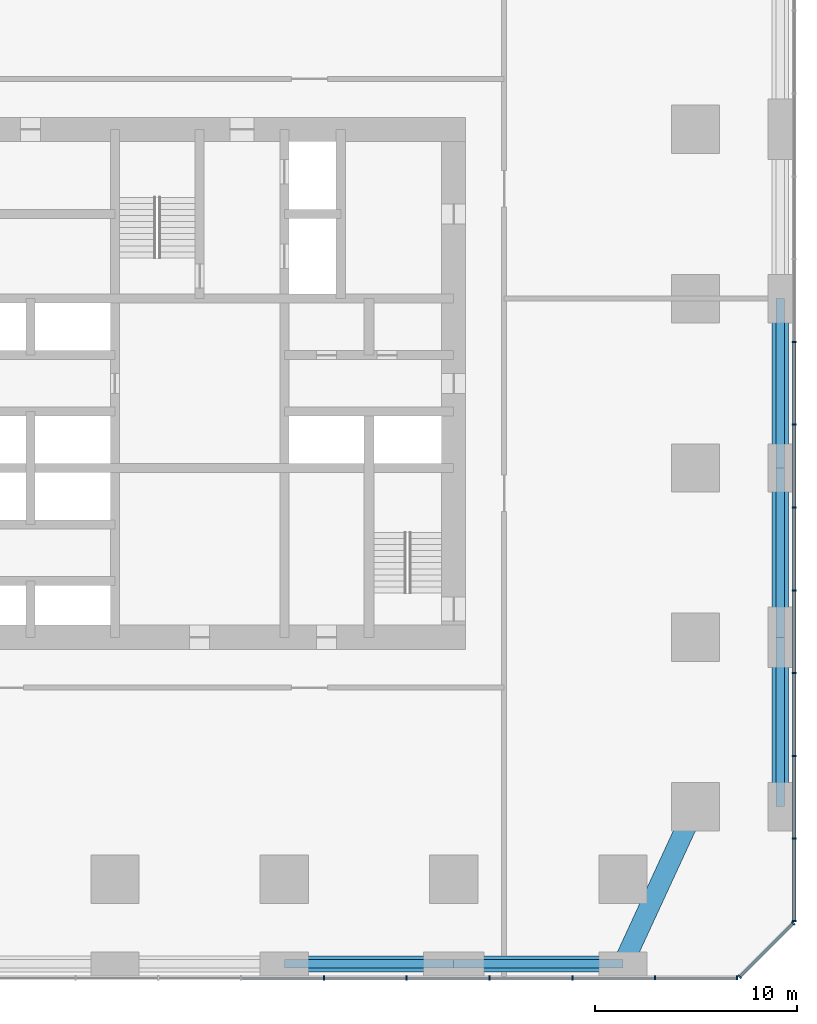
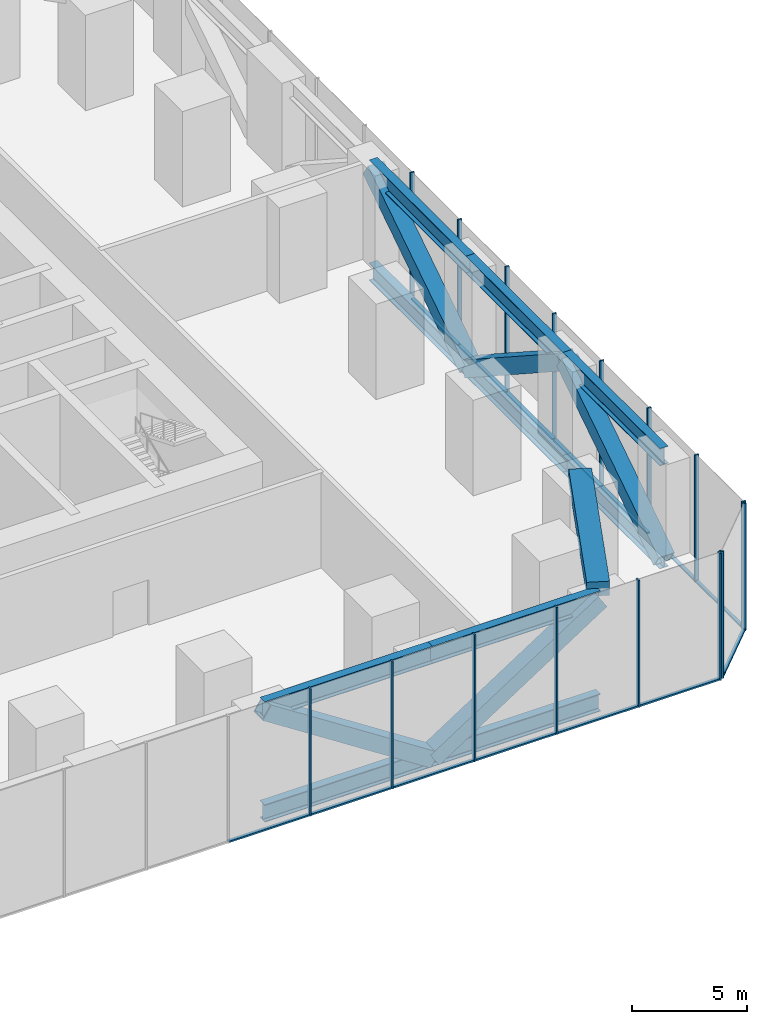
# One storey, part 4 of 11: 45 members, 1 beam, 3 elements without a shape of their own.
"""IFC4 building model written with IfcOpenShell, lengths in metres."""

from ifc_helpers import new_model, si_unit, direction, frame, origin, origin_2d, place, context, subcontext, project, spatial, rectangle, hollow_rectangle, i_section, extrude, material, material_profile, profile_set, type_object, element, aggregate, save


model = new_model("IFC4")

# Units and contexts
model_context = context("Model", 3, precision=1e-05, world=origin(), true_north=direction((0.0, 1.0)))
body_context = subcontext(model_context, "Body", "Model", "MODEL_VIEW")
ifc_project = project(units=[si_unit("LENGTHUNIT", "METRE"), si_unit("AREAUNIT", "SQUARE_METRE"), si_unit("VOLUMEUNIT", "CUBIC_METRE"), si_unit("PLANEANGLEUNIT", "RADIAN"), si_unit("MASSUNIT", "GRAM", prefix="KILO")], contexts=[model_context])

# Site, building, storey
site_placement = place(None, origin())
site = spatial("IfcSite", under=ifc_project, at=site_placement, CompositionType="ELEMENT")
building_placement = place(site_placement, origin())
building = spatial("IfcBuilding", under=site, at=building_placement, Name="Dunama Terrace Hotel", CompositionType="ELEMENT")
storey_placement = place(building_placement, frame((0.0, 0.0, 88.199951171875)))
storey = spatial("IfcBuildingStorey", under=building, at=storey_placement, Name="L22", CompositionType="ELEMENT", Elevation=88.199951171875)

# Members
ifc_material_1 = material(Name="Steel S355", Category="steel")
ifc_material_profile_1 = material_profile(ifc_material_1, hollow_rectangle(XDim=0.800048828125, YDim=0.800048828125, WallThickness=0.06005859375, at=origin_2d()), Name="BOX 800x800x60")
ifc_profile_set_1 = profile_set([ifc_material_profile_1], Name="Steel S355")
member_type_1 = type_object("IfcMemberType", Name="Brace BOX 800x800x60", PredefinedType="BRACE", material=ifc_profile_set_1)
member_1_placement = place(storey_placement, frame((58.199951171875, 8.39990234375, -0.8603515625), z_axis=(0.0, 0.838906226141, 0.544275981229), x_axis=(-1.0, 0.0, 0.0)))
element("IfcMember", 1, at=member_1_placement, inside=storey, type_object=member_type_1, Name="Belt truss diagonal L22", PredefinedType="BRACE", context=body_context, shape_type="SweptSolid", body=[
    extrude(hollow_rectangle(XDim=0.800048828125, YDim=0.800048828125, WallThickness=0.06005859375, at=origin_2d()), origin(), (0.0, 0.0, 1.0), 10.01318359375),
])
member_2_placement = place(storey_placement, frame((58.199951171875, 25.199951171875, -0.8603515625), z_axis=(0.0, -0.83889900313, 0.544287114075), x_axis=(1.0, 0.0, 0.0)))
element("IfcMember", 2, at=member_2_placement, inside=storey, type_object=member_type_1, Name="Belt truss diagonal L22", PredefinedType="BRACE", context=body_context, shape_type="SweptSolid", body=[
    extrude(hollow_rectangle(XDim=0.800048828125, YDim=0.800048828125, WallThickness=0.06005859375, at=origin_2d()), origin(), (0.0, 0.0, 1.0), 10.012939453125),
])
member_3_placement = place(storey_placement, frame((58.199951171875, 25.199951171875, -0.8603515625), z_axis=(0.0, 0.838906226141, 0.544275981229), x_axis=(-1.0, 0.0, 0.0)))
element("IfcMember", 3, at=member_3_placement, inside=storey, type_object=member_type_1, Name="Belt truss diagonal L22", PredefinedType="BRACE", context=body_context, shape_type="SweptSolid", body=[
    extrude(hollow_rectangle(XDim=0.800048828125, YDim=0.800048828125, WallThickness=0.06005859375, at=origin_2d()), origin(), (0.0, 0.0, 1.0), 10.01318359375),
])
for number, where, z_axis, x_axis, name in (
    (4, (42.0, 0.60009765625, -0.8603515625), (-0.83889900313, 0.0, 0.544287114075), (0.0, -1.0, 0.0), "Belt truss diagonal L22"),
    (5, (42.0, 0.60009765625, -0.8603515625), (0.83889900313, 0.0, 0.544287114075), (0.0, 1.0, 0.0), "Belt truss diagonal L22"),
):
    element("IfcMember", number, at=place(storey_placement, frame(where, z_axis=z_axis, x_axis=x_axis)), inside=storey, type_object=member_type_1, Name=name, PredefinedType="BRACE", context=body_context, shape_type="SweptSolid", body=[
        extrude(hollow_rectangle(XDim=0.800048828125, YDim=0.800048828125, WallThickness=0.06005859375, at=origin_2d()), origin(), (0.0, 0.0, 1.0), 10.012939453125),
    ])

# Curtain wall, members
ifc_material_2 = material(Name="Aluminium curtain wall system", Category="aluminium")
curtain_wall_type = type_object("IfcCurtainWallType", Name="Plant floor louvred glazing CW-G", PredefinedType="NOTDEFINED", material=ifc_material_2)
curtain_wall_1_placement = place(storey_placement, origin())
curtain_wall_1 = element("IfcCurtainWall", 6, at=curtain_wall_1_placement, inside=storey, type_object=curtain_wall_type, Name="Plant floor louvred glazing CW-G L22", PredefinedType="NOTDEFINED")
ifc_material_3 = material(Name="Aluminium mullion", Category="aluminium")
ifc_material_profile_2 = material_profile(ifc_material_3, rectangle(XDim=0.074951171875, YDim=0.199951171875, at=origin_2d()), Name="CWG MULLION 75X200")
ifc_profile_set_2 = profile_set([ifc_material_profile_2], Name="Aluminium mullion")
member_type_2 = type_object("IfcMemberType", Name="CWG mullion 75x200", PredefinedType="MULLION", material=ifc_profile_set_2)
member_4_placement = place(storey_placement, frame((35.56201171875, -0.10009765625, -1.321044921875), z_axis=(0.0, 0.0, 1.0), x_axis=(1.0, 0.0, 0.0)))
member_4 = element("IfcMember", 7, at=member_4_placement, type_object=member_type_2, Name="CWG mullion", PredefinedType="MULLION", context=body_context, shape_type="SweptSolid", body=[
    extrude(rectangle(XDim=0.074951171875, YDim=0.199951171875, at=origin_2d()), origin(), (0.0, 0.0, 1.0), 6.72119140625),
])
member_5_placement = place(storey_placement, frame((39.6689453125, -0.10009765625, -1.321044921875), z_axis=(0.0, 0.0, 1.0), x_axis=(1.0, 0.0, 0.0)))
member_5 = element("IfcMember", 8, at=member_5_placement, type_object=member_type_2, Name="CWG mullion", PredefinedType="MULLION", context=body_context, shape_type="SweptSolid", body=[
    extrude(rectangle(XDim=0.074951171875, YDim=0.199951171875, at=origin_2d()), origin(), (0.0, 0.0, 1.0), 6.72119140625),
])
member_6_placement = place(storey_placement, frame((43.777099609375, -0.10009765625, -1.321044921875), z_axis=(0.0, 0.0, 1.0), x_axis=(1.0, 0.0, 0.0)))
member_6 = element("IfcMember", 9, at=member_6_placement, type_object=member_type_2, Name="CWG mullion", PredefinedType="MULLION", context=body_context, shape_type="SweptSolid", body=[
    extrude(rectangle(XDim=0.074951171875, YDim=0.199951171875, at=origin_2d()), origin(), (0.0, 0.0, 1.0), 6.72119140625),
])
member_7_placement = place(storey_placement, frame((47.885009765625, -0.10009765625, -1.321044921875), z_axis=(0.0, 0.0, 1.0), x_axis=(1.0, 0.0, 0.0)))
member_7 = element("IfcMember", 10, at=member_7_placement, type_object=member_type_2, Name="CWG mullion", PredefinedType="MULLION", context=body_context, shape_type="SweptSolid", body=[
    extrude(rectangle(XDim=0.074951171875, YDim=0.199951171875, at=origin_2d()), origin(), (0.0, 0.0, 1.0), 6.72119140625),
])
member_8_placement = place(storey_placement, frame((51.991943359375, -0.10009765625, -1.321044921875), z_axis=(0.0, 0.0, 1.0), x_axis=(1.0, 0.0, 0.0)))
member_8 = element("IfcMember", 11, at=member_8_placement, type_object=member_type_2, Name="CWG mullion", PredefinedType="MULLION", context=body_context, shape_type="SweptSolid", body=[
    extrude(rectangle(XDim=0.074951171875, YDim=0.199951171875, at=origin_2d()), origin(), (0.0, 0.0, 1.0), 6.72119140625),
])
member_9_placement = place(storey_placement, frame((56.06201171875, -0.10009765625, -1.321044921875), z_axis=(0.0, 0.0, 1.0), x_axis=(1.0, 0.0, 0.0)))
member_9 = element("IfcMember", 12, at=member_9_placement, type_object=member_type_2, Name="CWG mullion", PredefinedType="MULLION", context=body_context, shape_type="SweptSolid", body=[
    extrude(rectangle(XDim=0.074951171875, YDim=0.199951171875, at=origin_2d()), origin(), (0.0, 0.0, 1.0), 6.72119140625),
])

curtain_wall_2_placement = place(storey_placement, origin())
curtain_wall_2 = element("IfcCurtainWall", 13, at=curtain_wall_2_placement, inside=storey, type_object=curtain_wall_type, Name="Plant floor louvred glazing CW-G L22", PredefinedType="NOTDEFINED")
member_10_placement = place(storey_placement, frame((56.197021484375, -0.0439453125, -1.321044921875), z_axis=(0.0, 0.0, 1.0), x_axis=(0.707106781187, 0.707106781187, 0.0)))
member_10 = element("IfcMember", 14, at=member_10_placement, type_object=member_type_2, Name="CWG mullion", PredefinedType="MULLION", context=body_context, shape_type="SweptSolid", body=[
    extrude(rectangle(XDim=0.074951171875, YDim=0.199951171875, at=origin_2d()), origin(), (0.0, 0.0, 1.0), 6.72119140625),
])
member_11_placement = place(storey_placement, frame((58.843994140625, 2.60302734375, -1.321044921875), z_axis=(0.0, 0.0, 1.0), x_axis=(0.707106781187, 0.707106781187, 0.0)))
member_11 = element("IfcMember", 15, at=member_11_placement, type_object=member_type_2, Name="CWG mullion", PredefinedType="MULLION", context=body_context, shape_type="SweptSolid", body=[
    extrude(rectangle(XDim=0.074951171875, YDim=0.199951171875, at=origin_2d()), origin(), (0.0, 0.0, 1.0), 6.72119140625),
])

curtain_wall_3_placement = place(storey_placement, origin())
curtain_wall_3 = element("IfcCurtainWall", 16, at=curtain_wall_3_placement, inside=storey, type_object=curtain_wall_type, Name="Plant floor louvred glazing CW-G L22", PredefinedType="NOTDEFINED")
member_12_placement = place(storey_placement, frame((58.89990234375, 2.738037109375, -1.321044921875), z_axis=(0.0, 0.0, 1.0), x_axis=(0.0, 1.0, 0.0)))
member_12 = element("IfcMember", 17, at=member_12_placement, type_object=member_type_2, Name="CWG mullion", PredefinedType="MULLION", context=body_context, shape_type="SweptSolid", body=[
    extrude(rectangle(XDim=0.074951171875, YDim=0.199951171875, at=origin_2d()), origin(), (0.0, 0.0, 1.0), 6.72119140625),
])
member_13_placement = place(storey_placement, frame((58.89990234375, 6.80810546875, -1.321044921875), z_axis=(0.0, 0.0, 1.0), x_axis=(0.0, 1.0, 0.0)))
member_13 = element("IfcMember", 18, at=member_13_placement, type_object=member_type_2, Name="CWG mullion", PredefinedType="MULLION", context=body_context, shape_type="SweptSolid", body=[
    extrude(rectangle(XDim=0.074951171875, YDim=0.199951171875, at=origin_2d()), origin(), (0.0, 0.0, 1.0), 6.72119140625),
])
member_14_placement = place(storey_placement, frame((58.89990234375, 10.9150390625, -1.321044921875), z_axis=(0.0, 0.0, 1.0), x_axis=(0.0, 1.0, 0.0)))
member_14 = element("IfcMember", 19, at=member_14_placement, type_object=member_type_2, Name="CWG mullion", PredefinedType="MULLION", context=body_context, shape_type="SweptSolid", body=[
    extrude(rectangle(XDim=0.074951171875, YDim=0.199951171875, at=origin_2d()), origin(), (0.0, 0.0, 1.0), 6.72119140625),
])
member_15_placement = place(storey_placement, frame((58.89990234375, 15.02294921875, -1.321044921875), z_axis=(0.0, 0.0, 1.0), x_axis=(0.0, 1.0, 0.0)))
member_15 = element("IfcMember", 20, at=member_15_placement, type_object=member_type_2, Name="CWG mullion", PredefinedType="MULLION", context=body_context, shape_type="SweptSolid", body=[
    extrude(rectangle(XDim=0.074951171875, YDim=0.199951171875, at=origin_2d()), origin(), (0.0, 0.0, 1.0), 6.72119140625),
])
member_16_placement = place(storey_placement, frame((58.89990234375, 19.131103515625, -1.321044921875), z_axis=(0.0, 0.0, 1.0), x_axis=(0.0, 1.0, 0.0)))
member_16 = element("IfcMember", 21, at=member_16_placement, type_object=member_type_2, Name="CWG mullion", PredefinedType="MULLION", context=body_context, shape_type="SweptSolid", body=[
    extrude(rectangle(XDim=0.074951171875, YDim=0.199951171875, at=origin_2d()), origin(), (0.0, 0.0, 1.0), 6.72119140625),
])
member_17_placement = place(storey_placement, frame((58.89990234375, 23.238037109375, -1.321044921875), z_axis=(0.0, 0.0, 1.0), x_axis=(0.0, 1.0, 0.0)))
member_17 = element("IfcMember", 22, at=member_17_placement, type_object=member_type_2, Name="CWG mullion", PredefinedType="MULLION", context=body_context, shape_type="SweptSolid", body=[
    extrude(rectangle(XDim=0.074951171875, YDim=0.199951171875, at=origin_2d()), origin(), (0.0, 0.0, 1.0), 6.72119140625),
])
member_18_placement = place(storey_placement, frame((58.89990234375, 27.345947265625, -1.321044921875), z_axis=(0.0, 0.0, 1.0), x_axis=(0.0, 1.0, 0.0)))
member_18 = element("IfcMember", 23, at=member_18_placement, type_object=member_type_2, Name="CWG mullion", PredefinedType="MULLION", context=body_context, shape_type="SweptSolid", body=[
    extrude(rectangle(XDim=0.074951171875, YDim=0.199951171875, at=origin_2d()), origin(), (0.0, 0.0, 1.0), 6.72119140625),
])
member_19_placement = place(storey_placement, frame((58.89990234375, 31.4541015625, -1.321044921875), z_axis=(0.0, 0.0, 1.0), x_axis=(0.0, 1.0, 0.0)))
member_19 = element("IfcMember", 24, at=member_19_placement, type_object=member_type_2, Name="CWG mullion", PredefinedType="MULLION", context=body_context, shape_type="SweptSolid", body=[
    extrude(rectangle(XDim=0.074951171875, YDim=0.199951171875, at=origin_2d()), origin(), (0.0, 0.0, 1.0), 6.72119140625),
])

# Member
ifc_material_4 = material(Name="Aluminium transom", Category="aluminium")
ifc_material_profile_3 = material_profile(ifc_material_4, rectangle(XDim=0.159912109375, YDim=0.0849609375, at=origin_2d()), Name="CWG TRANSOM 160X85")
ifc_profile_set_3 = profile_set([ifc_material_profile_3], Name="Aluminium transom")
member_type_3 = type_object("IfcMemberType", Name="CWG transom 160x85", PredefinedType="USERDEFINED", material=ifc_profile_set_3)
member_20_placement = place(storey_placement, frame((31.490966796875, -0.10009765625, -1.278564453125), z_axis=(1.0, 0.0, 0.0), x_axis=(0.0, 1.0, 0.0)))
member_20 = element("IfcMember", 25, at=member_20_placement, type_object=member_type_3, Name="CWG transom", ObjectType="TRANSOM", PredefinedType="USERDEFINED", context=body_context, shape_type="SweptSolid", body=[
    extrude(rectangle(XDim=0.159912109375, YDim=0.0849609375, at=origin_2d()), origin(), (0.0, 0.0, 1.0), 4.032958984375),
])

member_21_placement = place(storey_placement, frame((35.59912109375, -0.10009765625, -1.278564453125), z_axis=(1.0, 0.0, 0.0), x_axis=(0.0, 1.0, 0.0)))
member_21 = element("IfcMember", 26, at=member_21_placement, type_object=member_type_3, Name="CWG transom", ObjectType="TRANSOM", PredefinedType="USERDEFINED", context=body_context, shape_type="SweptSolid", body=[
    extrude(rectangle(XDim=0.159912109375, YDim=0.0849609375, at=origin_2d()), origin(), (0.0, 0.0, 1.0), 4.032958984375),
])

member_22_placement = place(storey_placement, frame((39.70703125, -0.10009765625, -1.278564453125), z_axis=(1.0, 0.0, 0.0), x_axis=(0.0, 1.0, 0.0)))
member_22 = element("IfcMember", 27, at=member_22_placement, type_object=member_type_3, Name="CWG transom", ObjectType="TRANSOM", PredefinedType="USERDEFINED", context=body_context, shape_type="SweptSolid", body=[
    extrude(rectangle(XDim=0.159912109375, YDim=0.0849609375, at=origin_2d()), origin(), (0.0, 0.0, 1.0), 4.031982421875),
])

member_23_placement = place(storey_placement, frame((43.81396484375, -0.10009765625, -1.278564453125), z_axis=(1.0, 0.0, 0.0), x_axis=(0.0, 1.0, 0.0)))
member_23 = element("IfcMember", 28, at=member_23_placement, type_object=member_type_3, Name="CWG transom", ObjectType="TRANSOM", PredefinedType="USERDEFINED", context=body_context, shape_type="SweptSolid", body=[
    extrude(rectangle(XDim=0.159912109375, YDim=0.0849609375, at=origin_2d()), origin(), (0.0, 0.0, 1.0), 4.032958984375),
])

member_24_placement = place(storey_placement, frame((47.922119140625, -0.10009765625, -1.278564453125), z_axis=(1.0, 0.0, 0.0), x_axis=(0.0, 1.0, 0.0)))
member_24 = element("IfcMember", 29, at=member_24_placement, type_object=member_type_3, Name="CWG transom", ObjectType="TRANSOM", PredefinedType="USERDEFINED", context=body_context, shape_type="SweptSolid", body=[
    extrude(rectangle(XDim=0.159912109375, YDim=0.0849609375, at=origin_2d()), origin(), (0.0, 0.0, 1.0), 4.032958984375),
])

member_25_placement = place(storey_placement, frame((52.030029296875, -0.10009765625, -1.278564453125), z_axis=(1.0, 0.0, 0.0), x_axis=(0.0, 1.0, 0.0)))
member_25 = element("IfcMember", 30, at=member_25_placement, type_object=member_type_3, Name="CWG transom", ObjectType="TRANSOM", PredefinedType="USERDEFINED", context=body_context, shape_type="SweptSolid", body=[
    extrude(rectangle(XDim=0.159912109375, YDim=0.0849609375, at=origin_2d()), origin(), (0.0, 0.0, 1.0), 3.994873046875),
])

aggregate(curtain_wall_1, [member_4, member_5, member_6, member_7, member_8, member_9, member_20, member_21, member_22, member_23, member_24, member_25])

member_26_placement = place(storey_placement, frame((56.22412109375, -0.01806640625, -1.278564453125), z_axis=(0.707106781187, 0.707106781187, 0.0), x_axis=(-0.707106781187, 0.707106781187, 0.0)))
member_26 = element("IfcMember", 31, at=member_26_placement, type_object=member_type_3, Name="CWG transom", ObjectType="TRANSOM", PredefinedType="USERDEFINED", context=body_context, shape_type="SweptSolid", body=[
    extrude(rectangle(XDim=0.159912109375, YDim=0.0849609375, at=origin_2d()), origin(), (0.0, 0.0, 1.0), 3.66845703125),
])

aggregate(curtain_wall_2, [member_10, member_11, member_26])

member_27_placement = place(storey_placement, frame((58.89990234375, 2.77490234375, -1.278564453125), z_axis=(0.0, 1.0, 0.0), x_axis=(-1.0, 0.0, 0.0)))
member_27 = element("IfcMember", 32, at=member_27_placement, type_object=member_type_3, Name="CWG transom", ObjectType="TRANSOM", PredefinedType="USERDEFINED", context=body_context, shape_type="SweptSolid", body=[
    extrude(rectangle(XDim=0.159912109375, YDim=0.0849609375, at=origin_2d()), origin(), (0.0, 0.0, 1.0), 3.9951171875),
])

member_28_placement = place(storey_placement, frame((58.89990234375, 6.844970703125, -1.278564453125), z_axis=(0.0, 1.0, 0.0), x_axis=(-1.0, 0.0, 0.0)))
member_28 = element("IfcMember", 33, at=member_28_placement, type_object=member_type_3, Name="CWG transom", ObjectType="TRANSOM", PredefinedType="USERDEFINED", context=body_context, shape_type="SweptSolid", body=[
    extrude(rectangle(XDim=0.159912109375, YDim=0.0849609375, at=origin_2d()), origin(), (0.0, 0.0, 1.0), 4.032958984375),
])

member_29_placement = place(storey_placement, frame((58.89990234375, 10.952880859375, -1.278564453125), z_axis=(0.0, 1.0, 0.0), x_axis=(-1.0, 0.0, 0.0)))
member_29 = element("IfcMember", 34, at=member_29_placement, type_object=member_type_3, Name="CWG transom", ObjectType="TRANSOM", PredefinedType="USERDEFINED", context=body_context, shape_type="SweptSolid", body=[
    extrude(rectangle(XDim=0.159912109375, YDim=0.0849609375, at=origin_2d()), origin(), (0.0, 0.0, 1.0), 4.033203125),
])

member_30_placement = place(storey_placement, frame((58.89990234375, 15.06103515625, -1.278564453125), z_axis=(0.0, 1.0, 0.0), x_axis=(-1.0, 0.0, 0.0)))
member_30 = element("IfcMember", 35, at=member_30_placement, type_object=member_type_3, Name="CWG transom", ObjectType="TRANSOM", PredefinedType="USERDEFINED", context=body_context, shape_type="SweptSolid", body=[
    extrude(rectangle(XDim=0.159912109375, YDim=0.0849609375, at=origin_2d()), origin(), (0.0, 0.0, 1.0), 4.031982421875),
])

member_31_placement = place(storey_placement, frame((58.89990234375, 19.16796875, -1.278564453125), z_axis=(0.0, 1.0, 0.0), x_axis=(-1.0, 0.0, 0.0)))
member_31 = element("IfcMember", 36, at=member_31_placement, type_object=member_type_3, Name="CWG transom", ObjectType="TRANSOM", PredefinedType="USERDEFINED", context=body_context, shape_type="SweptSolid", body=[
    extrude(rectangle(XDim=0.159912109375, YDim=0.0849609375, at=origin_2d()), origin(), (0.0, 0.0, 1.0), 4.032958984375),
])

member_32_placement = place(storey_placement, frame((58.89990234375, 23.27587890625, -1.278564453125), z_axis=(0.0, 1.0, 0.0), x_axis=(-1.0, 0.0, 0.0)))
member_32 = element("IfcMember", 37, at=member_32_placement, type_object=member_type_3, Name="CWG transom", ObjectType="TRANSOM", PredefinedType="USERDEFINED", context=body_context, shape_type="SweptSolid", body=[
    extrude(rectangle(XDim=0.159912109375, YDim=0.0849609375, at=origin_2d()), origin(), (0.0, 0.0, 1.0), 4.033203125),
])

member_33_placement = place(storey_placement, frame((58.89990234375, 27.384033203125, -1.278564453125), z_axis=(0.0, 1.0, 0.0), x_axis=(-1.0, 0.0, 0.0)))
member_33 = element("IfcMember", 38, at=member_33_placement, type_object=member_type_3, Name="CWG transom", ObjectType="TRANSOM", PredefinedType="USERDEFINED", context=body_context, shape_type="SweptSolid", body=[
    extrude(rectangle(XDim=0.159912109375, YDim=0.0849609375, at=origin_2d()), origin(), (0.0, 0.0, 1.0), 4.031982421875),
])

aggregate(curtain_wall_3, [member_12, member_13, member_14, member_15, member_16, member_17, member_18, member_19, member_27, member_28, member_29, member_30, member_31, member_32, member_33])

# Beam
ifc_material_5 = material(Name="Concrete C50/60", Category="concrete")
ifc_material_profile_4 = material_profile(ifc_material_5, rectangle(XDim=1.0, YDim=0.75, at=origin_2d()), Name="RC 1000x750")
ifc_profile_set_4 = profile_set([ifc_material_profile_4], Name="Concrete C50/60")
beam_type = type_object("IfcBeamType", Name="Edge beam RC 1000x750", PredefinedType="SPANDREL", material=ifc_profile_set_4)
beam_placement = place(storey_placement, frame((50.39990234375, 0.60009765625, 5.025146484375), z_axis=(0.419076199598, 0.907951066374, 0.0), x_axis=(-0.907951066374, 0.419076199598, 0.0)))
element("IfcBeam", 39, at=beam_placement, inside=storey, type_object=beam_type, Name="Corner edge beam under L23", PredefinedType="SPANDREL", context=body_context, shape_type="SweptSolid", body=[
    extrude(rectangle(XDim=1.0, YDim=0.75, at=origin_2d()), origin(), (0.0, 0.0, 1.0), 8.590576171875),
])

# Members
ifc_material_6 = material(Name="Steel S355", Category="steel")
ifc_material_profile_5 = material_profile(ifc_material_6, i_section(OverallWidth=0.42041015625, OverallDepth=0.9208984375, WebThickness=0.021484375, FlangeThickness=0.03662109375, FilletRadius=0.024169921875, at=origin_2d()), Name="UB 914x419x388")
ifc_profile_set_5 = profile_set([ifc_material_profile_5], Name="Steel S355")
member_type_4 = type_object("IfcMemberType", Name="Truss member UB 914x419x388", PredefinedType="CHORD", material=ifc_profile_set_5)
for number, where, z_axis, x_axis, name in (
    (40, (58.199951171875, 8.39990234375, 4.589599609375), (0.0, 1.0, 0.0), (-1.0, 0.0, 0.0), "Belt truss top chord L22"),
    (41, (58.199951171875, 8.39990234375, -0.8603515625), (0.0, 1.0, 0.0), (-1.0, 0.0, 0.0), "Belt truss bottom chord L22"),
):
    element("IfcMember", number, at=place(storey_placement, frame(where, z_axis=z_axis, x_axis=x_axis)), inside=storey, type_object=member_type_4, Name=name, PredefinedType="CHORD", context=body_context, shape_type="SweptSolid", body=[
        extrude(i_section(OverallWidth=0.42041015625, OverallDepth=0.9208984375, WebThickness=0.021484375, FlangeThickness=0.03662109375, FilletRadius=0.024169921875, at=origin_2d()), origin(), (0.0, 0.0, 1.0), 8.400146484375),
    ])
for number, where, z_axis, x_axis, name in (
    (42, (58.199951171875, 16.800048828125, 4.589599609375), (0.0, 1.0, 0.0), (-1.0, 0.0, 0.0), "Belt truss top chord L22"),
    (43, (58.199951171875, 16.800048828125, -0.8603515625), (0.0, 1.0, 0.0), (-1.0, 0.0, 0.0), "Belt truss bottom chord L22"),
):
    element("IfcMember", number, at=place(storey_placement, frame(where, z_axis=z_axis, x_axis=x_axis)), inside=storey, type_object=member_type_4, Name=name, PredefinedType="CHORD", context=body_context, shape_type="SweptSolid", body=[
        extrude(i_section(OverallWidth=0.42041015625, OverallDepth=0.9208984375, WebThickness=0.021484375, FlangeThickness=0.03662109375, FilletRadius=0.024169921875, at=origin_2d()), origin(), (0.0, 0.0, 1.0), 8.39990234375),
    ])
for number, where, z_axis, x_axis, name in (
    (44, (58.199951171875, 25.199951171875, 4.589599609375), (0.0, 1.0, 0.0), (-1.0, 0.0, 0.0), "Belt truss top chord L22"),
    (45, (58.199951171875, 25.199951171875, -0.8603515625), (0.0, 1.0, 0.0), (-1.0, 0.0, 0.0), "Belt truss bottom chord L22"),
):
    element("IfcMember", number, at=place(storey_placement, frame(where, z_axis=z_axis, x_axis=x_axis)), inside=storey, type_object=member_type_4, Name=name, PredefinedType="CHORD", context=body_context, shape_type="SweptSolid", body=[
        extrude(i_section(OverallWidth=0.42041015625, OverallDepth=0.9208984375, WebThickness=0.021484375, FlangeThickness=0.03662109375, FilletRadius=0.024169921875, at=origin_2d()), origin(), (0.0, 0.0, 1.0), 8.400146484375),
    ])
for number, where, z_axis, x_axis, name in (
    (46, (33.60009765625, 0.60009765625, 4.589599609375), (1.0, 0.0, 0.0), (0.0, 1.0, 0.0), "Belt truss top chord L22"),
    (47, (33.60009765625, 0.60009765625, -0.8603515625), (1.0, 0.0, 0.0), (0.0, 1.0, 0.0), "Belt truss bottom chord L22"),
    (48, (42.0, 0.60009765625, 4.589599609375), (1.0, 0.0, 0.0), (0.0, 1.0, 0.0), "Belt truss top chord L22"),
    (49, (42.0, 0.60009765625, -0.8603515625), (1.0, 0.0, 0.0), (0.0, 1.0, 0.0), "Belt truss bottom chord L22"),
):
    element("IfcMember", number, at=place(storey_placement, frame(where, z_axis=z_axis, x_axis=x_axis)), inside=storey, type_object=member_type_4, Name=name, PredefinedType="CHORD", context=body_context, shape_type="SweptSolid", body=[
        extrude(i_section(OverallWidth=0.42041015625, OverallDepth=0.9208984375, WebThickness=0.021484375, FlangeThickness=0.03662109375, FilletRadius=0.024169921875, at=origin_2d()), origin(), (0.0, 0.0, 1.0), 8.39990234375),
    ])

save(model, "model.ifc")
